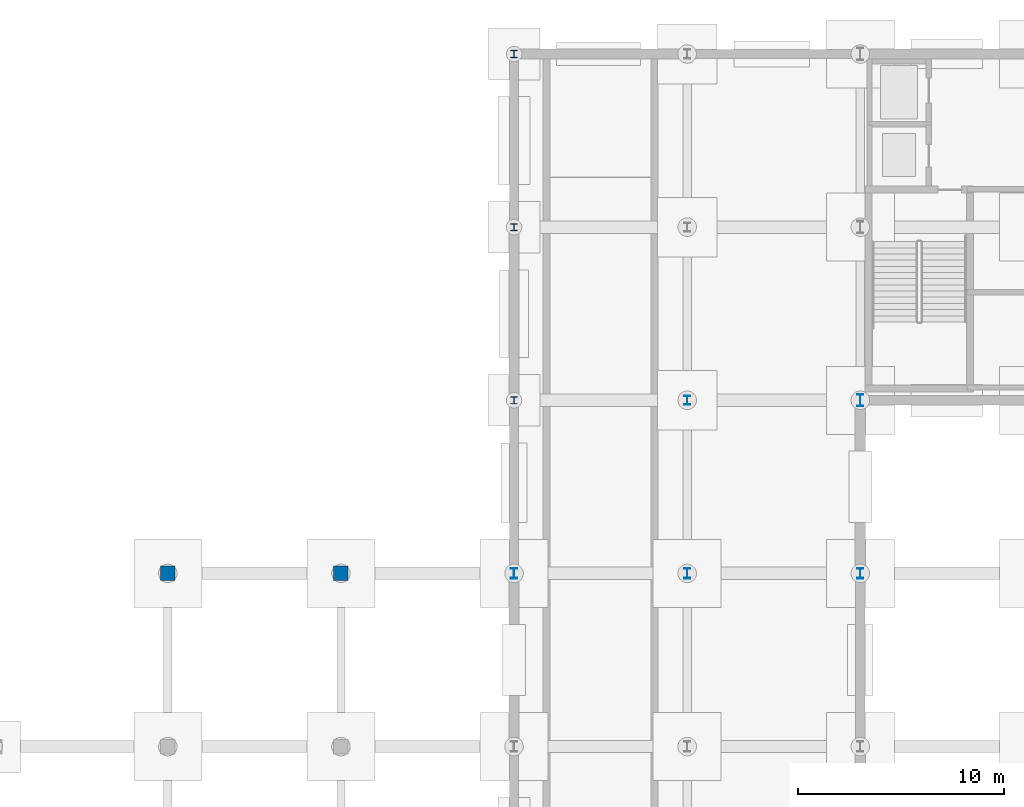
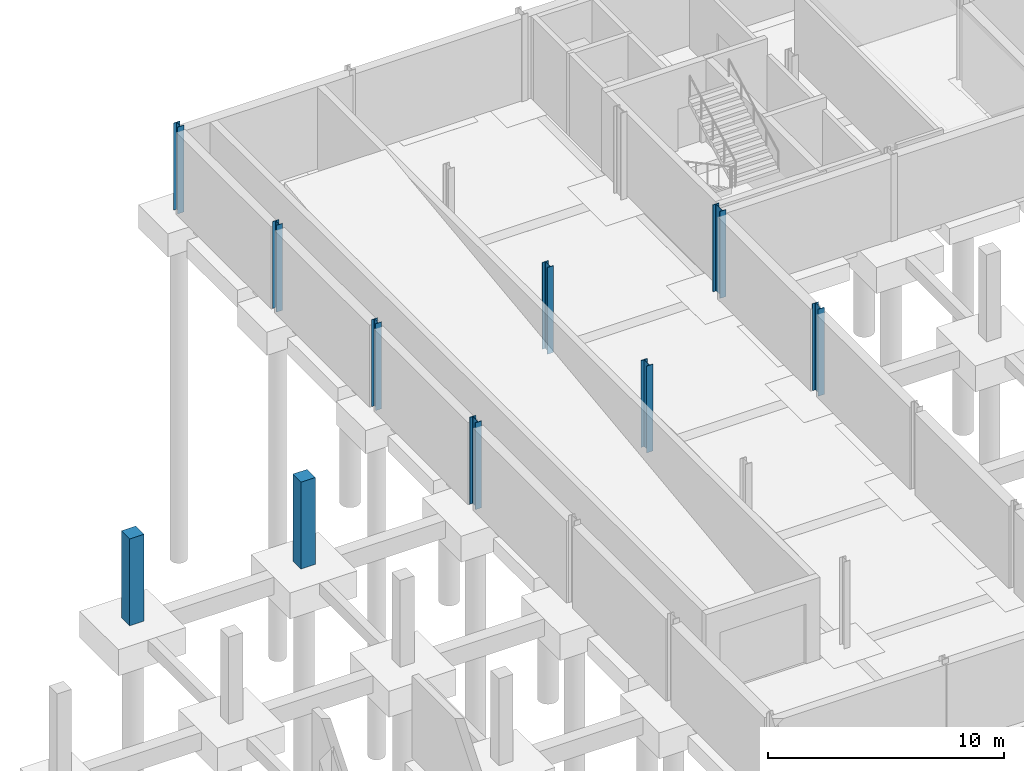
# One storey, part 15 of 43: 10 columns.
"""IFC4 building model written with IfcOpenShell, lengths in metres."""

from ifc_helpers import new_model, si_unit, direction, frame, origin, origin_2d, place, context, subcontext, project, spatial, rectangle, i_section, extrude, material, material_profile, profile_set, type_object, element, save


model = new_model("IFC4")

# Units and contexts
model_context = context("Model", 3, precision=1e-05, world=origin(), true_north=direction((0.0, 1.0)))
body_context = subcontext(model_context, "Body", "Model", "MODEL_VIEW")
ifc_project = project(units=[si_unit("LENGTHUNIT", "METRE"), si_unit("AREAUNIT", "SQUARE_METRE"), si_unit("VOLUMEUNIT", "CUBIC_METRE"), si_unit("PLANEANGLEUNIT", "RADIAN"), si_unit("MASSUNIT", "GRAM", prefix="KILO")], contexts=[model_context])

# Site, building, storey
site_placement = place(None, origin())
site = spatial("IfcSite", under=ifc_project, at=site_placement, CompositionType="ELEMENT")
building_placement = place(site_placement, origin())
building = spatial("IfcBuilding", under=site, at=building_placement, Name="Mersafa Astral City Hall", CompositionType="ELEMENT")
storey_placement = place(building_placement, frame((0.0, 0.0, -4.5)))
storey = spatial("IfcBuildingStorey", under=building, at=storey_placement, Name="B1", CompositionType="ELEMENT", Elevation=-4.5)

# Columns
ifc_material_1 = material(Name="Steel S355", Category="steel")
ifc_material_profile_1 = material_profile(ifc_material_1, i_section(OverallWidth=0.300048828125, OverallDepth=0.340087890625, WebThickness=0.011962890625, FlangeThickness=0.021484375, FilletRadius=0.027099609375, at=origin_2d()), Name="HEB 340")
ifc_profile_set_1 = profile_set([ifc_material_profile_1], Name="Steel S355")
column_type_1 = type_object("IfcColumnType", Name="STR-COL-HEB340", PredefinedType="COLUMN", material=ifc_profile_set_1)
column_1_placement = place(storey_placement, frame((25.199951171875, 117.60009765625, 0.0), z_axis=(0.0, 0.0, 1.0), x_axis=(1.0, 0.0, 0.0)))
element("IfcColumn", 1, at=column_1_placement, inside=storey, type_object=column_type_1, Name="B1 Structural column G-03-14", PredefinedType="COLUMN", context=body_context, shape_type="SweptSolid", body=[
    extrude(i_section(OverallWidth=0.300048828125, OverallDepth=0.340087890625, WebThickness=0.011962890625, FlangeThickness=0.021484375, FilletRadius=0.027099609375, at=origin_2d()), origin(), (0.0, 0.0, 1.0), 4.5),
])
ifc_material_profile_2 = material_profile(ifc_material_1, i_section(OverallWidth=0.300048828125, OverallDepth=0.360107421875, WebThickness=0.012451171875, FlangeThickness=0.0224609375, FilletRadius=0.027099609375, at=origin_2d()), Name="HEB 360")
ifc_profile_set_2 = profile_set([ifc_material_profile_2], Name="Steel S355")
column_type_2 = type_object("IfcColumnType", Name="STR-COL-HEB360", PredefinedType="COLUMN", material=ifc_profile_set_2)
for number, where, z_axis, x_axis, name in (
    (2, (25.199951171875, 109.199951171875, 0.0), (0.0, 0.0, 1.0), (1.0, 0.0, 0.0), "B1 Structural column G-03-13"),
    (3, (25.199951171875, 126.0, 0.0), (0.0, 0.0, 1.0), (1.0, 0.0, 0.0), "B1 Structural column G-03-15"),
):
    element("IfcColumn", number, at=place(storey_placement, frame(where, z_axis=z_axis, x_axis=x_axis)), inside=storey, type_object=column_type_2, Name=name, PredefinedType="COLUMN", context=body_context, shape_type="SweptSolid", body=[
        extrude(i_section(OverallWidth=0.300048828125, OverallDepth=0.360107421875, WebThickness=0.012451171875, FlangeThickness=0.0224609375, FilletRadius=0.027099609375, at=origin_2d()), origin(), (0.0, 0.0, 1.0), 4.5),
    ])
ifc_material_profile_3 = material_profile(ifc_material_1, i_section(OverallWidth=0.300048828125, OverallDepth=0.449951171875, WebThickness=0.013916015625, FlangeThickness=0.02587890625, FilletRadius=0.027099609375, at=origin_2d()), Name="HEB 450")
ifc_profile_set_3 = profile_set([ifc_material_profile_3], Name="Steel S355")
column_type_3 = type_object("IfcColumnType", Name="STR-COL-HEB450", PredefinedType="COLUMN", material=ifc_profile_set_3)
column_2_placement = place(storey_placement, frame((33.60009765625, 109.199951171875, 0.0), z_axis=(0.0, 0.0, 1.0), x_axis=(1.0, 0.0, 0.0)))
element("IfcColumn", 4, at=column_2_placement, inside=storey, type_object=column_type_3, Name="B1 Structural column G-04-13", PredefinedType="COLUMN", context=body_context, shape_type="SweptSolid", body=[
    extrude(i_section(OverallWidth=0.300048828125, OverallDepth=0.449951171875, WebThickness=0.013916015625, FlangeThickness=0.02587890625, FilletRadius=0.027099609375, at=origin_2d()), origin(), (0.0, 0.0, 1.0), 4.5),
])
ifc_material_profile_4 = material_profile(ifc_material_1, i_section(OverallWidth=0.300048828125, OverallDepth=0.5, WebThickness=0.014404296875, FlangeThickness=0.028076171875, FilletRadius=0.027099609375, at=origin_2d()), Name="HEB 500")
ifc_profile_set_4 = profile_set([ifc_material_profile_4], Name="Steel S355")
column_type_4 = type_object("IfcColumnType", Name="STR-COL-HEB500", PredefinedType="COLUMN", material=ifc_profile_set_4)
for number, where, z_axis, x_axis, name in (
    (5, (25.199951171875, 100.800048828125, 0.0), (0.0, 0.0, 1.0), (1.0, 0.0, 0.0), "B1 Structural column G-03-12"),
    (6, (33.60009765625, 100.800048828125, 0.0), (0.0, 0.0, 1.0), (1.0, 0.0, 0.0), "B1 Structural column G-04-12"),
    (7, (42.0, 100.800048828125, 0.0), (0.0, 0.0, 1.0), (1.0, 0.0, 0.0), "B1 Structural column G-05-12"),
):
    element("IfcColumn", number, at=place(storey_placement, frame(where, z_axis=z_axis, x_axis=x_axis)), inside=storey, type_object=column_type_4, Name=name, PredefinedType="COLUMN", context=body_context, shape_type="SweptSolid", body=[
        extrude(i_section(OverallWidth=0.300048828125, OverallDepth=0.5, WebThickness=0.014404296875, FlangeThickness=0.028076171875, FilletRadius=0.027099609375, at=origin_2d()), origin(), (0.0, 0.0, 1.0), 4.5),
    ])
ifc_material_profile_5 = material_profile(ifc_material_1, i_section(OverallWidth=0.300048828125, OverallDepth=0.60009765625, WebThickness=0.015380859375, FlangeThickness=0.030029296875, FilletRadius=0.027099609375, at=origin_2d()), Name="HEB 600")
ifc_profile_set_5 = profile_set([ifc_material_profile_5], Name="Steel S355")
column_type_5 = type_object("IfcColumnType", Name="STR-COL-HEB600", PredefinedType="COLUMN", material=ifc_profile_set_5)
column_3_placement = place(storey_placement, frame((42.0, 109.199951171875, 0.0), z_axis=(0.0, 0.0, 1.0), x_axis=(1.0, 0.0, 0.0)))
element("IfcColumn", 8, at=column_3_placement, inside=storey, type_object=column_type_5, Name="B1 Structural column G-05-13", PredefinedType="COLUMN", context=body_context, shape_type="SweptSolid", body=[
    extrude(i_section(OverallWidth=0.300048828125, OverallDepth=0.60009765625, WebThickness=0.015380859375, FlangeThickness=0.030029296875, FilletRadius=0.027099609375, at=origin_2d()), origin(), (0.0, 0.0, 1.0), 4.5),
])
ifc_material_2 = material(Name="Concrete C40/50", Category="concrete")
ifc_material_profile_6 = material_profile(ifc_material_2, rectangle(XDim=0.699951171875, YDim=0.699951171875, at=origin_2d()), Name="RC 700x700")
ifc_profile_set_6 = profile_set([ifc_material_profile_6], Name="Concrete C40/50")
column_type_6 = type_object("IfcColumnType", Name="STR-COL-RC700", PredefinedType="COLUMN", material=ifc_profile_set_6)
for number, where, z_axis, x_axis, name in (
    (9, (8.39990234375, 100.800048828125, 0.0), (0.0, 0.0, 1.0), (1.0, 0.0, 0.0), "B1 Structural column G-01-12"),
    (10, (16.800048828125, 100.800048828125, 0.0), (0.0, 0.0, 1.0), (1.0, 0.0, 0.0), "B1 Structural column G-02-12"),
):
    element("IfcColumn", number, at=place(storey_placement, frame(where, z_axis=z_axis, x_axis=x_axis)), inside=storey, type_object=column_type_6, Name=name, PredefinedType="COLUMN", context=body_context, shape_type="SweptSolid", body=[
        extrude(rectangle(XDim=0.699951171875, YDim=0.699951171875, at=origin_2d()), origin(), (0.0, 0.0, 1.0), 4.5),
    ])

save(model, "model.ifc")
